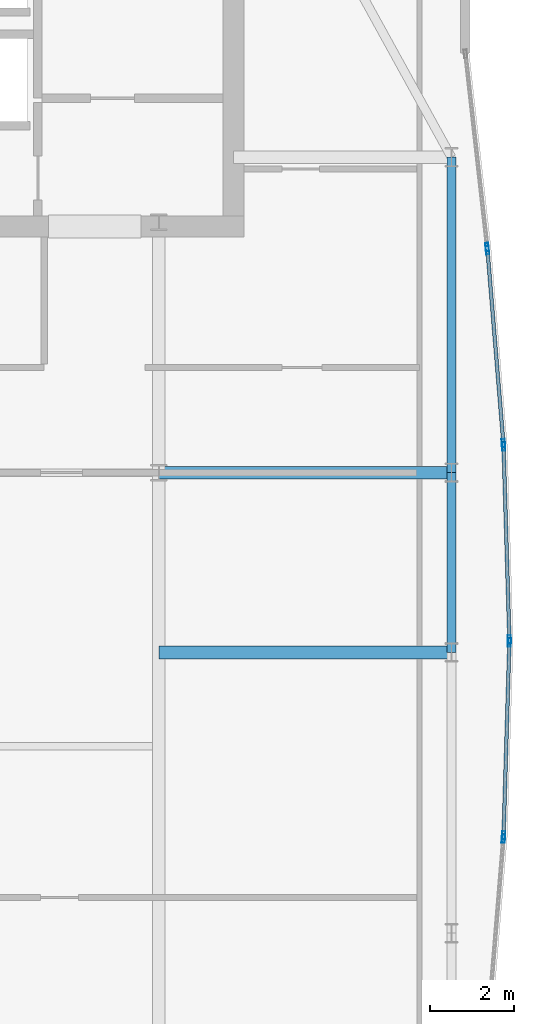
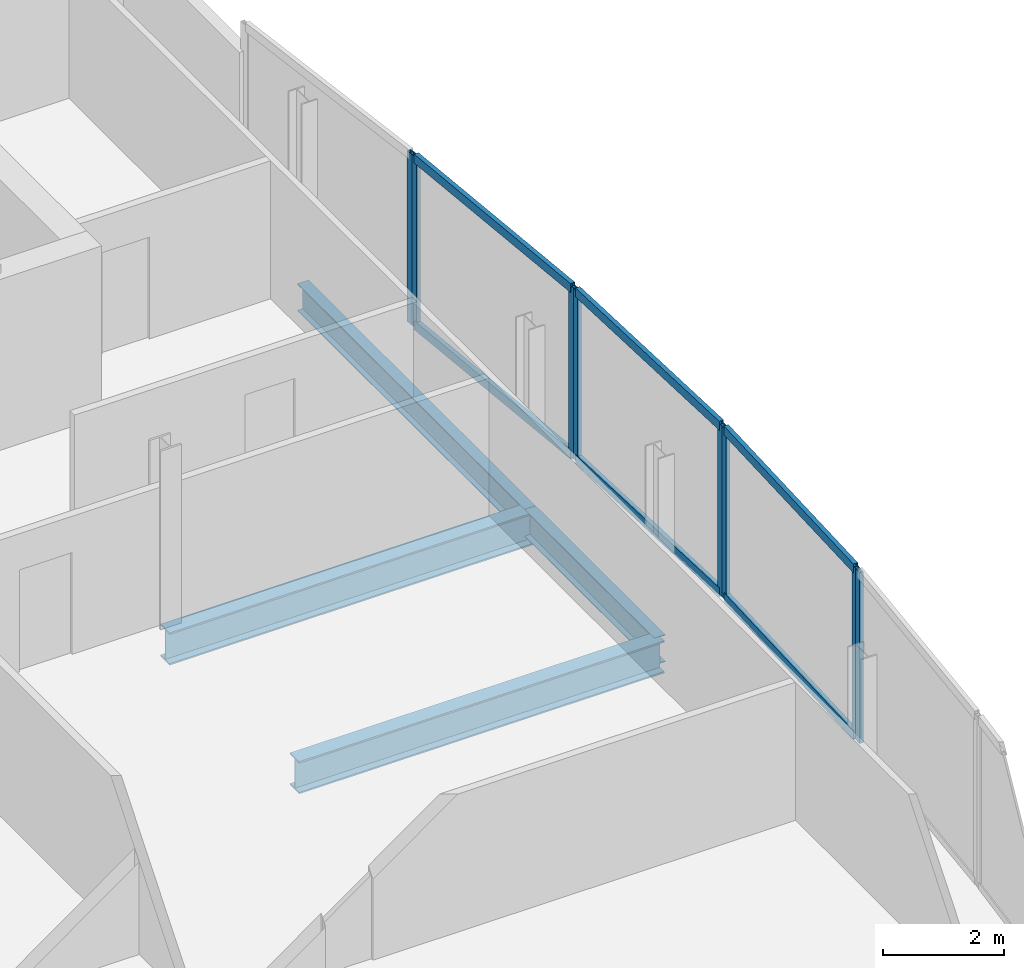
# One storey, part 15 of 25: 14 members, 4 beams, 5 elements without a shape of their own.
"""IFC4 building model written with IfcOpenShell, lengths in metres."""

from ifc_helpers import new_model, si_unit, direction, frame, origin, origin_2d, place, context, subcontext, project, spatial, hollow_rectangle, i_section, extrude, material, material_profile, profile_set, type_object, element, aggregate, save


model = new_model("IFC4")

# Units and contexts
model_context = context("Model", 3, precision=1e-05, world=origin(), true_north=direction((0.0, 1.0)))
body_context = subcontext(model_context, "Body", "Model", "MODEL_VIEW")
ifc_project = project(units=[si_unit("LENGTHUNIT", "METRE"), si_unit("AREAUNIT", "SQUARE_METRE"), si_unit("VOLUMEUNIT", "CUBIC_METRE"), si_unit("PLANEANGLEUNIT", "RADIAN"), si_unit("MASSUNIT", "GRAM", prefix="KILO")], contexts=[model_context])

# Site, building, storey
site_placement = place(None, origin())
site = spatial("IfcSite", under=ifc_project, at=site_placement, CompositionType="ELEMENT")
building_placement = place(site_placement, origin())
building = spatial("IfcBuilding", under=site, at=building_placement, Name="Khoronbel Lancet Exchange", CompositionType="ELEMENT")
storey_placement = place(building_placement, frame((0.0, 0.0, 295.0)))
storey = spatial("IfcBuildingStorey", under=building, at=storey_placement, Name="L76", CompositionType="ELEMENT", Elevation=295.0)

# Beams
ifc_material_1 = material(Name="Steel S355", Category="steel")
ifc_material_profile_1 = material_profile(ifc_material_1, i_section(OverallWidth=0.300048828125, OverallDepth=0.64990234375, WebThickness=0.01611328125, FlangeThickness=0.031005859375, at=origin_2d()), Name="HEB 650")
ifc_profile_set_1 = profile_set([ifc_material_profile_1], Name="Steel S355")
beam_type_1 = type_object("IfcBeamType", Name="BM-BG4", PredefinedType="BEAM", material=ifc_profile_set_1)
for number, where, z_axis, x_axis, name in (
    (1, (54.675048828125, 31.425048828125, -0.485107421875), (1.0, 0.0, 0.0), (0.0, 1.0, 0.0), "Level L76 east lens tie girder LG2E"),
    (2, (54.675048828125, 35.699951171875, -0.485107421875), (1.0, 0.0, 0.0), (0.0, 1.0, 0.0), "Level L76 east lens tie girder LG4E"),
):
    element("IfcBeam", number, at=place(storey_placement, frame(where, z_axis=z_axis, x_axis=x_axis)), inside=storey, type_object=beam_type_1, Name=name, PredefinedType="BEAM", context=body_context, shape_type="SweptSolid", body=[
        extrude(i_section(OverallWidth=0.300048828125, OverallDepth=0.64990234375, WebThickness=0.01611328125, FlangeThickness=0.031005859375, at=origin_2d()), origin(), (0.0, 0.0, 1.0), 6.954833984375),
    ])
ifc_material_profile_2 = material_profile(ifc_material_1, i_section(OverallWidth=0.2099609375, OverallDepth=0.550048828125, WebThickness=0.010986328125, FlangeThickness=0.01708984375, at=origin_2d()), Name="IPE 550")
ifc_profile_set_2 = profile_set([ifc_material_profile_2], Name="Steel S355")
beam_type_2 = type_object("IfcBeamType", Name="BM-BSP3", PredefinedType="SPANDREL", material=ifc_profile_set_2)
beam_1_placement = place(storey_placement, frame((61.6298828125, 31.425048828125, -0.43505859375), z_axis=(0.0, 1.0, 0.0), x_axis=(-1.0, 0.0, 0.0)))
element("IfcBeam", 3, at=beam_1_placement, inside=storey, type_object=beam_type_2, Name="Level L76 perimeter spandrel beam SP13", PredefinedType="SPANDREL", context=body_context, shape_type="SweptSolid", body=[
    extrude(i_section(OverallWidth=0.2099609375, OverallDepth=0.550048828125, WebThickness=0.010986328125, FlangeThickness=0.01708984375, at=origin_2d()), origin(), (0.0, 0.0, 1.0), 4.27490234375),
])
beam_2_placement = place(storey_placement, frame((61.6298828125, 35.699951171875, -0.43505859375), z_axis=(0.0, 1.0, 0.0), x_axis=(-1.0, 0.0, 0.0)))
element("IfcBeam", 4, at=beam_2_placement, inside=storey, type_object=beam_type_2, Name="Level L76 perimeter spandrel beam SP14", PredefinedType="SPANDREL", context=body_context, shape_type="SweptSolid", body=[
    extrude(i_section(OverallWidth=0.2099609375, OverallDepth=0.550048828125, WebThickness=0.010986328125, FlangeThickness=0.01708984375, at=origin_2d()), origin(), (0.0, 0.0, 1.0), 7.5),
])

# Curtain wall, member
ifc_material_2 = material(Name="Low-E Solar Control Insulating Glass", Category="glass")
curtain_wall_type = type_object("IfcCurtainWallType", Name="CW-4", PredefinedType="NOTDEFINED", material=ifc_material_2)
curtain_wall_1_placement = place(storey_placement, origin())
curtain_wall_1 = element("IfcCurtainWall", 5, at=curtain_wall_1_placement, inside=storey, type_object=curtain_wall_type, Name="Unitised curtain wall CW-L76-E17", PredefinedType="NOTDEFINED")
ifc_material_3 = material(Name="Bronze-Anodised Aluminium 6063-T6", Category="aluminium")
ifc_material_profile_3 = material_profile(ifc_material_3, hollow_rectangle(XDim=0.074951171875, YDim=0.199951171875, WallThickness=0.0048828125, at=origin_2d()), Name="ALU MULLION 75x200")
ifc_profile_set_3 = profile_set([ifc_material_profile_3], Name="Bronze-Anodised Aluminium 6063-T6")
member_type_1 = type_object("IfcMemberType", Name="MEM-CWM2", PredefinedType="MULLION", material=ifc_profile_set_3)
member_1_placement = place(storey_placement, frame((62.481201171875, 41.061767578125, 0.0), z_axis=(0.0, 0.0, 1.0), x_axis=(0.993731788903, 0.111790570813, 0.0)))
member_1 = element("IfcMember", 6, at=member_1_placement, type_object=member_type_1, Name="CW4 mullion 2", PredefinedType="MULLION", context=body_context, shape_type="SweptSolid", body=[
    extrude(hollow_rectangle(XDim=0.074951171875, YDim=0.199951171875, WallThickness=0.0048828125, at=origin_2d()), origin(), (0.0, 0.0, 1.0), 3.43994140625),
])
aggregate(curtain_wall_1, [member_1])

# Curtain wall, members
curtain_wall_2_placement = place(storey_placement, origin())
curtain_wall_2 = element("IfcCurtainWall", 7, at=curtain_wall_2_placement, inside=storey, type_object=curtain_wall_type, Name="Unitised curtain wall CW-L76-E18", PredefinedType="NOTDEFINED")
member_2_placement = place(storey_placement, frame((62.488525390625, 40.9873046875, 0.0), z_axis=(0.0, 0.0, 1.0), x_axis=(0.996626353667, 0.082072596992, 0.0)))
member_2 = element("IfcMember", 8, at=member_2_placement, type_object=member_type_1, Name="CW4 mullion 1", PredefinedType="MULLION", context=body_context, shape_type="SweptSolid", body=[
    extrude(hollow_rectangle(XDim=0.074951171875, YDim=0.199951171875, WallThickness=0.0048828125, at=origin_2d()), origin(), (0.0, 0.0, 1.0), 3.43994140625),
])
member_3_placement = place(storey_placement, frame((62.8662109375, 36.39892578125, 0.0), z_axis=(0.0, 0.0, 1.0), x_axis=(0.996626353667, 0.082072596992, 0.0)))
member_3 = element("IfcMember", 9, at=member_3_placement, type_object=member_type_1, Name="CW4 mullion 2", PredefinedType="MULLION", context=body_context, shape_type="SweptSolid", body=[
    extrude(hollow_rectangle(XDim=0.074951171875, YDim=0.199951171875, WallThickness=0.0048828125, at=origin_2d()), origin(), (0.0, 0.0, 1.0), 3.43994140625),
])

curtain_wall_3_placement = place(storey_placement, origin())
curtain_wall_3 = element("IfcCurtainWall", 10, at=curtain_wall_3_placement, inside=storey, type_object=curtain_wall_type, Name="Unitised curtain wall CW-L76-E19", PredefinedType="NOTDEFINED")
member_4_placement = place(storey_placement, frame((62.87060546875, 36.32421875, 0.0), z_axis=(0.0, 0.0, 1.0), x_axis=(0.999545457549, 0.030147608411, 0.0)))
member_4 = element("IfcMember", 11, at=member_4_placement, type_object=member_type_1, Name="CW4 mullion 1", PredefinedType="MULLION", context=body_context, shape_type="SweptSolid", body=[
    extrude(hollow_rectangle(XDim=0.074951171875, YDim=0.199951171875, WallThickness=0.0048828125, at=origin_2d()), origin(), (0.0, 0.0, 1.0), 3.43994140625),
])
member_5_placement = place(storey_placement, frame((63.0087890625, 31.737548828125, 0.0), z_axis=(0.0, 0.0, 1.0), x_axis=(0.999545457549, 0.030147608411, 0.0)))
member_5 = element("IfcMember", 12, at=member_5_placement, type_object=member_type_1, Name="CW4 mullion 2", PredefinedType="MULLION", context=body_context, shape_type="SweptSolid", body=[
    extrude(hollow_rectangle(XDim=0.074951171875, YDim=0.199951171875, WallThickness=0.0048828125, at=origin_2d()), origin(), (0.0, 0.0, 1.0), 3.43994140625),
])

curtain_wall_4_placement = place(storey_placement, origin())
curtain_wall_4 = element("IfcCurtainWall", 13, at=curtain_wall_4_placement, inside=storey, type_object=curtain_wall_type, Name="Unitised curtain wall CW-L76-E20", PredefinedType="NOTDEFINED")
member_6_placement = place(storey_placement, frame((63.0087890625, 31.66259765625, 0.0), z_axis=(0.0, 0.0, 1.0), x_axis=(0.999545457549, -0.030147608411, 0.0)))
member_6 = element("IfcMember", 14, at=member_6_placement, type_object=member_type_1, Name="CW4 mullion 1", PredefinedType="MULLION", context=body_context, shape_type="SweptSolid", body=[
    extrude(hollow_rectangle(XDim=0.074951171875, YDim=0.199951171875, WallThickness=0.0048828125, at=origin_2d()), origin(), (0.0, 0.0, 1.0), 3.43994140625),
])
member_7_placement = place(storey_placement, frame((62.87060546875, 27.075927734375, 0.0), z_axis=(0.0, 0.0, 1.0), x_axis=(0.999545457549, -0.030147608411, 0.0)))
member_7 = element("IfcMember", 15, at=member_7_placement, type_object=member_type_1, Name="CW4 mullion 2", PredefinedType="MULLION", context=body_context, shape_type="SweptSolid", body=[
    extrude(hollow_rectangle(XDim=0.074951171875, YDim=0.199951171875, WallThickness=0.0048828125, at=origin_2d()), origin(), (0.0, 0.0, 1.0), 3.43994140625),
])

# Curtain wall, member
curtain_wall_5_placement = place(storey_placement, origin())
curtain_wall_5 = element("IfcCurtainWall", 16, at=curtain_wall_5_placement, inside=storey, type_object=curtain_wall_type, Name="Unitised curtain wall CW-L76-E21", PredefinedType="NOTDEFINED")
member_8_placement = place(storey_placement, frame((62.8662109375, 27.0009765625, 0.0), z_axis=(0.0, 0.0, 1.0), x_axis=(0.996626353667, -0.082072596992, 0.0)))
member_8 = element("IfcMember", 17, at=member_8_placement, type_object=member_type_1, Name="CW4 mullion 1", PredefinedType="MULLION", context=body_context, shape_type="SweptSolid", body=[
    extrude(hollow_rectangle(XDim=0.074951171875, YDim=0.199951171875, WallThickness=0.0048828125, at=origin_2d()), origin(), (0.0, 0.0, 1.0), 3.43994140625),
])
aggregate(curtain_wall_5, [member_8])

# Member
ifc_material_profile_4 = material_profile(ifc_material_3, hollow_rectangle(XDim=0.0849609375, YDim=0.179931640625, WallThickness=0.0048828125, at=origin_2d()), Name="ALU TRANSOM 85x180")
ifc_profile_set_4 = profile_set([ifc_material_profile_4], Name="Bronze-Anodised Aluminium 6063-T6")
member_type_2 = type_object("IfcMemberType", Name="MEM-CWT1", PredefinedType="USERDEFINED", material=ifc_profile_set_4)
member_9_placement = place(storey_placement, frame((62.491455078125, 40.949951171875, 0.04248046875), z_axis=(0.082099661491, -0.996624124524, 0.0), x_axis=(0.996624124524, 0.082099661491, 0.0)))
member_9 = element("IfcMember", 18, at=member_9_placement, type_object=member_type_2, Name="CW4 transom 1.1", ObjectType="TRANSOM", PredefinedType="USERDEFINED", context=body_context, shape_type="SweptSolid", body=[
    extrude(hollow_rectangle(XDim=0.0849609375, YDim=0.179931640625, WallThickness=0.0048828125, at=origin_2d()), origin(), (0.0, 0.0, 1.0), 4.529052734375),
])

member_10_placement = place(storey_placement, frame((62.491455078125, 40.949951171875, 3.3974609375), z_axis=(0.082099661491, -0.996624124524, 0.0), x_axis=(0.996624124524, 0.082099661491, 0.0)))
member_10 = element("IfcMember", 19, at=member_10_placement, type_object=member_type_2, Name="CW4 transom 1.2", ObjectType="TRANSOM", PredefinedType="USERDEFINED", context=body_context, shape_type="SweptSolid", body=[
    extrude(hollow_rectangle(XDim=0.0849609375, YDim=0.179931640625, WallThickness=0.0048828125, at=origin_2d()), origin(), (0.0, 0.0, 1.0), 4.529052734375),
])

aggregate(curtain_wall_2, [member_2, member_3, member_9, member_10])

member_11_placement = place(storey_placement, frame((62.87158203125, 36.28662109375, 0.04248046875), z_axis=(0.030181049901, -0.99954444835, 0.0), x_axis=(0.99954444835, 0.030181049901, 0.0)))
member_11 = element("IfcMember", 20, at=member_11_placement, type_object=member_type_2, Name="CW4 transom 1.1", ObjectType="TRANSOM", PredefinedType="USERDEFINED", context=body_context, shape_type="SweptSolid", body=[
    extrude(hollow_rectangle(XDim=0.0849609375, YDim=0.179931640625, WallThickness=0.0048828125, at=origin_2d()), origin(), (0.0, 0.0, 1.0), 4.513671875),
])

member_12_placement = place(storey_placement, frame((62.87158203125, 36.28662109375, 3.3974609375), z_axis=(0.030181049901, -0.99954444835, 0.0), x_axis=(0.99954444835, 0.030181049901, 0.0)))
member_12 = element("IfcMember", 21, at=member_12_placement, type_object=member_type_2, Name="CW4 transom 1.2", ObjectType="TRANSOM", PredefinedType="USERDEFINED", context=body_context, shape_type="SweptSolid", body=[
    extrude(hollow_rectangle(XDim=0.0849609375, YDim=0.179931640625, WallThickness=0.0048828125, at=origin_2d()), origin(), (0.0, 0.0, 1.0), 4.513671875),
])

aggregate(curtain_wall_3, [member_4, member_5, member_11, member_12])

member_13_placement = place(storey_placement, frame((63.0078125, 31.625, 0.04248046875), z_axis=(-0.030181049901, -0.99954444835, 0.0), x_axis=(0.99954444835, -0.030181049901, 0.0)))
member_13 = element("IfcMember", 22, at=member_13_placement, type_object=member_type_2, Name="CW4 transom 1.1", ObjectType="TRANSOM", PredefinedType="USERDEFINED", context=body_context, shape_type="SweptSolid", body=[
    extrude(hollow_rectangle(XDim=0.0849609375, YDim=0.179931640625, WallThickness=0.0048828125, at=origin_2d()), origin(), (0.0, 0.0, 1.0), 4.513671875),
])

member_14_placement = place(storey_placement, frame((63.0078125, 31.625, 3.3974609375), z_axis=(-0.030181049901, -0.99954444835, 0.0), x_axis=(0.99954444835, -0.030181049901, 0.0)))
member_14 = element("IfcMember", 23, at=member_14_placement, type_object=member_type_2, Name="CW4 transom 1.2", ObjectType="TRANSOM", PredefinedType="USERDEFINED", context=body_context, shape_type="SweptSolid", body=[
    extrude(hollow_rectangle(XDim=0.0849609375, YDim=0.179931640625, WallThickness=0.0048828125, at=origin_2d()), origin(), (0.0, 0.0, 1.0), 4.513671875),
])

aggregate(curtain_wall_4, [member_6, member_7, member_13, member_14])

save(model, "model.ifc")
